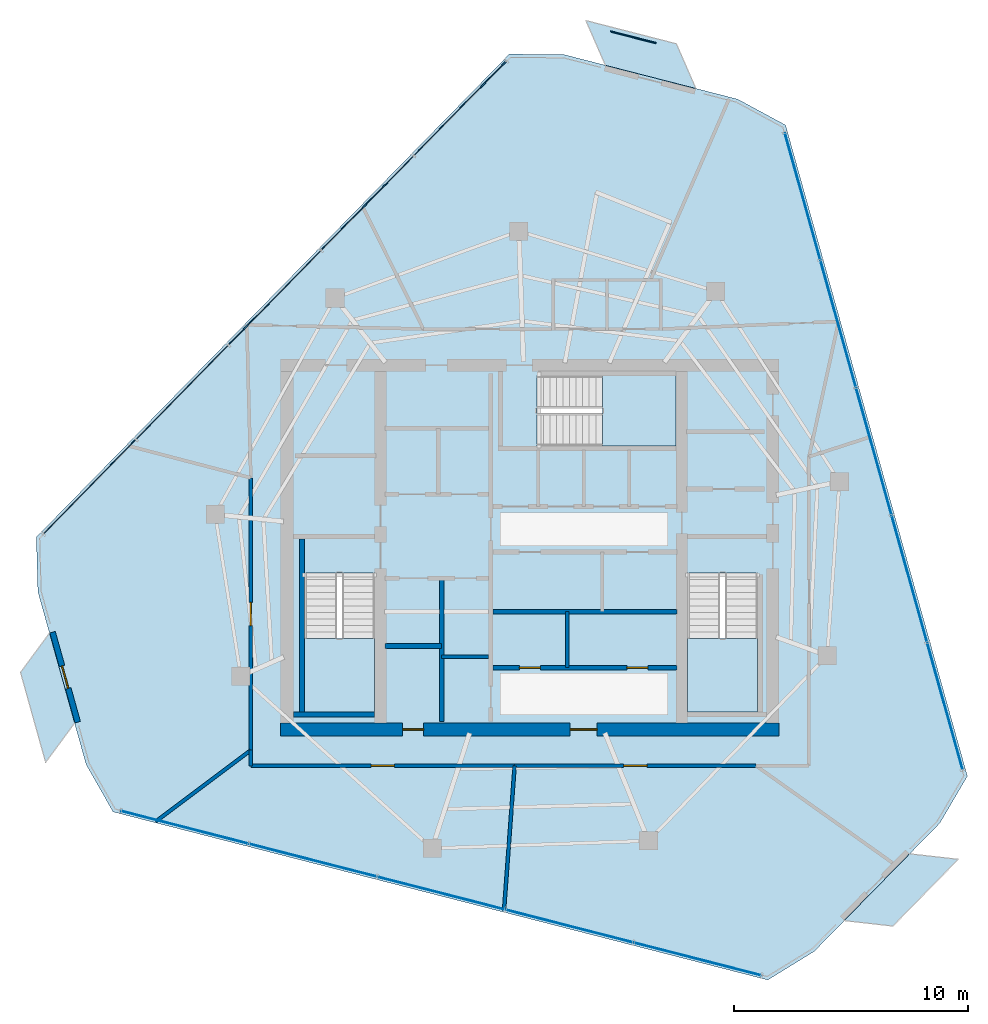
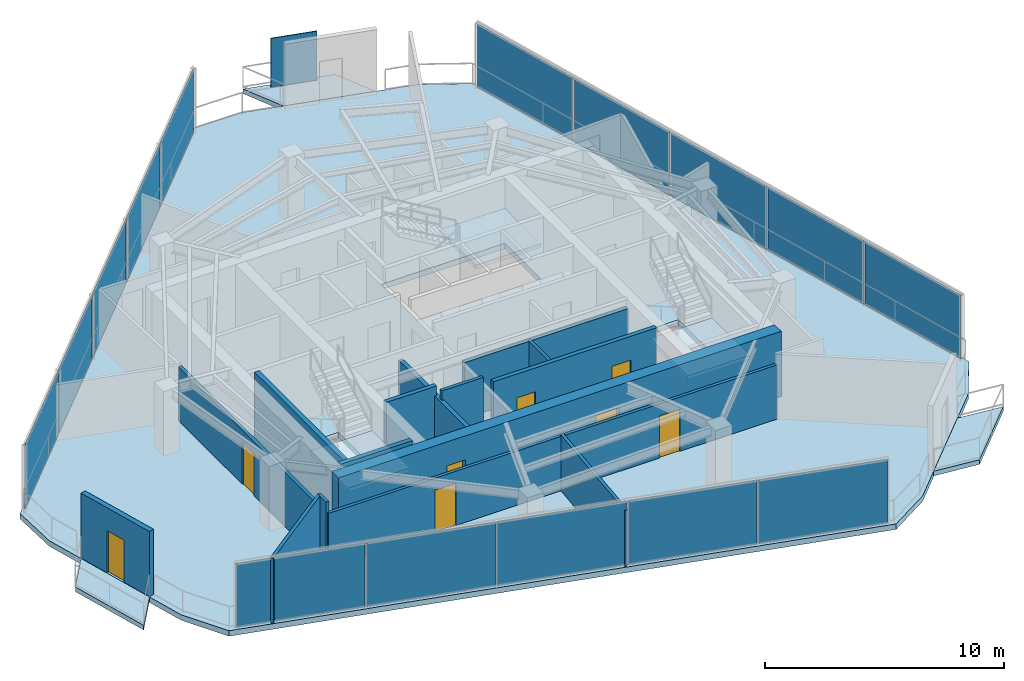
# One storey, part 14 of 18: 16 plates, 16 walls, 8 doors, 7 slabs, 8 openings, 6 elements without a shape of their own.
"""IFC4 building model written with IfcOpenShell, lengths in metres."""

import ifcopenshell
import ifcopenshell.guid

model = None  # the IFC model being written
_history = None  # IfcOwnerHistory: only IFC2X3 demands one
_inside = {}  # id of a spatial element -> (the spatial element, [elements in it])
_under = {}  # id of a project, library or spatial element -> (it, [spatial elements below it])
_declared = {}  # id of a project -> (the project, [libraries it declares])
_typed = {}  # id of a type object -> (the type object, [elements of that type])
_made_of = {}  # id of a material, layer set ... -> (it, [elements and type objects made of it])


def new_model(schema):
    """Start an empty IFC model of exactly this schema.

    Asked for "IFC4X3", IfcOpenShell would pick the latest addendum, in which some entities
    have other attributes; the version numbers below select the first issue.
    IFC2X3 requires an IfcOwnerHistory on every rooted entity: one is made here for all.
    """
    global model, _history
    if schema == "IFC4X3":
        model = ifcopenshell.file(schema_version=(4, 3, 0, 0))
    else:
        model = ifcopenshell.file(schema=schema)
    _inside.clear()
    _under.clear()
    _declared.clear()
    _typed.clear()
    _made_of.clear()
    _history = None
    if model.schema == "IFC2X3":
        org = make("IfcOrganization", Name="unknown")
        user = make(
            "IfcPersonAndOrganization",
            ThePerson=make("IfcPerson", FamilyName="unknown"),
            TheOrganization=org,
        )
        app = make(
            "IfcApplication",
            ApplicationDeveloper=org,
            Version="unknown",
            ApplicationFullName="unknown",
            ApplicationIdentifier="unknown",
        )
        _history = make(
            "IfcOwnerHistory",
            OwningUser=user,
            OwningApplication=app,
            ChangeAction="ADDED",
            CreationDate=0,
        )
    return model


def make(cls, **values):
    """One entity of the class cls with the attributes given. An attribute that is None is left unset."""
    return model.create_entity(
        cls, **{name: value for name, value in values.items() if value is not None}
    )


def rooted(cls, **values):
    """An entity with a GlobalId (a new one), such as an element, a storey or a relation."""
    return make(cls, GlobalId=ifcopenshell.guid.new(), OwnerHistory=_history, **values)


def si_unit(unit_type, name, prefix=None):
    """IfcSIUnit, for example si_unit("LENGTHUNIT", "METRE", prefix="MILLI")."""
    return make("IfcSIUnit", UnitType=unit_type, Prefix=prefix, Name=name)


def assignment(units):
    """IfcUnitAssignment: the units of a project."""
    return None if units is None else make("IfcUnitAssignment", Units=units)


def point(xyz):
    """IfcCartesianPoint."""
    return None if xyz is None else make("IfcCartesianPoint", Coordinates=xyz)


def direction(xyz):
    """IfcDirection."""
    return None if xyz is None else make("IfcDirection", DirectionRatios=xyz)


def frame(location, z_axis=None, x_axis=None):
    """IfcAxis2Placement3D, a coordinate frame: its origin and axes. An axis left out is left unset."""
    return make(
        "IfcAxis2Placement3D",
        Location=point(location),
        Axis=direction(z_axis),
        RefDirection=direction(x_axis),
    )


def frame_2d(location, x_axis=None):
    """IfcAxis2Placement2D, a coordinate frame in the plane: its origin and x axis."""
    return make(
        "IfcAxis2Placement2D", Location=point(location), RefDirection=direction(x_axis)
    )


def origin():
    """The frame at (0, 0, 0) with its axes left unset."""
    return frame((0.0, 0.0, 0.0))


def origin_2d():
    """The frame at (0, 0) in the plane with its x axis left unset."""
    return frame_2d((0.0, 0.0))


def place(relative_to, where):
    """IfcLocalPlacement: puts the frame where relative to a parent placement (None: the world)."""
    return make(
        "IfcLocalPlacement", PlacementRelTo=relative_to, RelativePlacement=where
    )


def context(
    kind, dimensions, precision=None, world=None, true_north=None, identifier=None
):
    """IfcGeometricRepresentationContext, for example the 3D "Model" context."""
    return make(
        "IfcGeometricRepresentationContext",
        ContextIdentifier=identifier,
        ContextType=kind,
        CoordinateSpaceDimension=dimensions,
        Precision=precision,
        WorldCoordinateSystem=world,
        TrueNorth=true_north,
    )


def subcontext(parent, identifier, kind, view, scale=None):
    """IfcGeometricRepresentationSubContext, for example "Body" below "Model"."""
    return make(
        "IfcGeometricRepresentationSubContext",
        ContextIdentifier=identifier,
        ContextType=kind,
        ParentContext=parent,
        TargetScale=scale,
        TargetView=view,
    )


def project(units=None, contexts=None):
    """IfcProject with its units and contexts."""
    return rooted(
        "IfcProject",
        Name="project",
        RepresentationContexts=contexts,
        UnitsInContext=assignment(units),
    )


def spatial(cls, under=None, at=None, **own):
    """A site, building, storey or space (cls), placed at a placement, below another one or the project."""
    s = rooted(cls, ObjectPlacement=at, **own)
    if under is not None:
        _under.setdefault(under.id(), (under, []))[1].append(s)
    return s


def polyline(points):
    """IfcPolyline through the points."""
    return make("IfcPolyline", Points=[point(p) for p in points])


def profile(cls, at=None, kind="AREA", **sizes):
    """A parametric profile (cls). Its sizes go by their IFC names, for example OverallWidth=200.0."""
    return make(cls, ProfileType=kind, Position=at, **sizes)


def rectangle(**sizes):
    """IfcRectangleProfileDef."""
    return profile("IfcRectangleProfileDef", **sizes)


def outline(outer, holes=None, kind="AREA"):
    """IfcArbitraryClosedProfileDef: a profile drawn as a closed curve; with holes, ...WithVoids."""
    if holes is None:
        return make("IfcArbitraryClosedProfileDef", ProfileType=kind, OuterCurve=outer)
    return make(
        "IfcArbitraryProfileDefWithVoids",
        ProfileType=kind,
        OuterCurve=outer,
        InnerCurves=holes,
    )


def extrude(swept, where, along, depth):
    """IfcExtrudedAreaSolid: the profile swept, set in the frame where, extruded along a direction by depth."""
    return make(
        "IfcExtrudedAreaSolid",
        SweptArea=swept,
        Position=where,
        ExtrudedDirection=direction(along),
        Depth=depth,
    )


def shape(context_of_items, identifier, shape_type, items):
    """IfcShapeRepresentation: the items that make up one representation, for example the "Body"."""
    return make(
        "IfcShapeRepresentation",
        ContextOfItems=context_of_items,
        RepresentationIdentifier=identifier,
        RepresentationType=shape_type,
        Items=items,
    )


def material(Name=None, Category=None):
    """IfcMaterial."""
    return make("IfcMaterial", Name=Name, Category=Category)


def layer(
    of_material, thickness, ventilated=None, Name=None, Category=None, Priority=None
):
    """IfcMaterialLayer: one layer of a wall or slab, of a material (None: an air gap)."""
    return make(
        "IfcMaterialLayer",
        Material=of_material,
        LayerThickness=thickness,
        IsVentilated=ventilated,
        Name=Name,
        Category=Category,
        Priority=Priority,
    )


def layer_set(layers, Name=None):
    """IfcMaterialLayerSet."""
    return make("IfcMaterialLayerSet", MaterialLayers=layers, LayerSetName=Name)


def made_of(thing, what):
    """Note that an element or type object is made of a material, layer set ...; save() writes the relation."""
    if what is not None:
        _made_of.setdefault(what.id(), (what, []))[1].append(thing)
    return thing


def type_object(cls, material=None, **own):
    """A type object (cls), such as IfcWallType, which elements share."""
    return made_of(rooted(cls, **own), material)


def element(
    cls,
    number,
    at=None,
    inside=None,
    cuts=None,
    type_object=None,
    material=None,
    context=None,
    identifier="Body",
    shape_type=None,
    held_by="IfcProductDefinitionShape",
    body=None,
    shapes=None,
    **own,
):
    """One element of the class cls, such as IfcWall. Its Tag is "e" and its number.

    at: its placement. inside: the storey or other place that contains it. cuts: it is an
    opening in that element (IfcRelVoidsElement). A single representation is given by context,
    identifier, shape_type and body (its items); several are given by shapes. held_by: the class
    of the entity that holds the representations. save() writes the other relations.
    """
    e = rooted(cls, Tag="e%d" % number, ObjectPlacement=at, **own)
    if body is not None:
        shapes = [shape(context, identifier, shape_type, body)]
    if shapes is not None:
        e.Representation = make(held_by, Representations=shapes)
    if inside is not None:
        _inside.setdefault(inside.id(), (inside, []))[1].append(e)
    if cuts is not None:
        rooted(
            "IfcRelVoidsElement", RelatingBuildingElement=cuts, RelatedOpeningElement=e
        )
    if type_object is not None:
        _typed.setdefault(type_object.id(), (type_object, []))[1].append(e)
    return made_of(e, material)


def fill(opening, filler):
    """IfcRelFillsElement: the door or window that sits in an opening."""
    return rooted(
        "IfcRelFillsElement",
        RelatingOpeningElement=opening,
        RelatedBuildingElement=filler,
    )


def aggregate(whole, parts):
    """IfcRelAggregates: a whole, such as a stair, and the parts it consists of."""
    return rooted("IfcRelAggregates", RelatingObject=whole, RelatedObjects=parts)


def save(model, path):
    """Write the relations noted so far, then the file.

    IfcRelAggregates (storeys below a building ...), IfcRelContainedInSpatialStructure (elements
    in a storey), IfcRelDefinesByType, IfcRelAssociatesMaterial and IfcRelDeclares: one each for
    every whole, place, type object, material and project.
    """
    for whole, parts in _under.values():
        aggregate(whole, parts)
    for where, things in _inside.values():
        rooted(
            "IfcRelContainedInSpatialStructure",
            RelatedElements=things,
            RelatingStructure=where,
        )
    for kind, things in _typed.values():
        rooted("IfcRelDefinesByType", RelatedObjects=things, RelatingType=kind)
    for what, things in _made_of.values():
        rooted("IfcRelAssociatesMaterial", RelatedObjects=things, RelatingMaterial=what)
    for by, libraries in _declared.values():
        rooted("IfcRelDeclares", RelatingContext=by, RelatedDefinitions=libraries)
    model.write(path)


model = new_model("IFC4")

# Units and contexts
model_context = context("Model", 3, precision=1e-05, world=origin(), true_north=direction((0.0, 1.0)))
body_context = subcontext(model_context, "Body", "Model", "MODEL_VIEW")
ifc_project = project(units=[si_unit("LENGTHUNIT", "METRE"), si_unit("AREAUNIT", "SQUARE_METRE"), si_unit("VOLUMEUNIT", "CUBIC_METRE"), si_unit("PLANEANGLEUNIT", "RADIAN"), si_unit("MASSUNIT", "GRAM", prefix="KILO")], contexts=[model_context])

# Site, building, storey
site_placement = place(None, origin())
site = spatial("IfcSite", under=ifc_project, at=site_placement, CompositionType="ELEMENT")
building_placement = place(site_placement, origin())
building = spatial("IfcBuilding", under=site, at=building_placement, Name="Qarnah Convention Tower", CompositionType="ELEMENT")
storey_placement = place(building_placement, frame((0.0, 0.0, 239.10009765625)))
storey = spatial("IfcBuildingStorey", under=building, at=storey_placement, Name="L64", CompositionType="ELEMENT", Elevation=239.10009765625)

# Curtain wall, plates
ifc_material_1 = material(Name="Tempered Low-E dark glass", Category="glass")
ifc_layer_1 = layer(ifc_material_1, 0.176025390625)
ifc_layer_set_1 = layer_set([ifc_layer_1], Name="Tempered Low-E dark glass")
curtain_wall_type = type_object("IfcCurtainWallType", Name="CWS-05", PredefinedType="NOTDEFINED", material=ifc_layer_set_1)
curtain_wall_1_placement = place(storey_placement, origin())
curtain_wall_1 = element("IfcCurtainWall", 1, at=curtain_wall_1_placement, inside=storey, type_object=curtain_wall_type, Name="L64 unitised curtain wall CW-L64-F1", PredefinedType="NOTDEFINED")
ifc_layer_2 = layer(ifc_material_1, 0.035888671875)
ifc_layer_set_2 = layer_set([ifc_layer_2], Name="Tempered Low-E dark glass")
plate_type_1 = type_object("IfcPlateType", Name="PNL-T5", PredefinedType="CURTAIN_PANEL", material=ifc_layer_set_2)
plate_1_placement = place(storey_placement, frame((18.344970703125, 28.99609375, 0.0400390625), z_axis=(0.0, 0.0, 1.0), x_axis=(0.699640931758, 0.714494623219, 0.0)))
plate_1 = element("IfcPlate", 2, at=plate_1_placement, type_object=plate_type_1, Name="CW-L64-F1 curtain panel 1.1", PredefinedType="CURTAIN_PANEL", context=body_context, shape_type="SweptSolid", body=[
    extrude(rectangle(XDim=5.588623046875, YDim=0.035888671875, at=origin_2d()), origin(), (0.0, 0.0, 1.0), 3.239990234375),
])
plate_2_placement = place(storey_placement, frame((22.31103515625, 33.04638671875, 0.0400390625), z_axis=(0.0, 0.0, 1.0), x_axis=(0.699640931758, 0.714494623219, 0.0)))
plate_2 = element("IfcPlate", 3, at=plate_2_placement, type_object=plate_type_1, Name="CW-L64-F1 curtain panel 2.1", PredefinedType="CURTAIN_PANEL", context=body_context, shape_type="SweptSolid", body=[
    extrude(rectangle(XDim=5.588623046875, YDim=0.035888671875, at=origin_2d()), origin(), (0.0, 0.0, 1.0), 3.239990234375),
])
plate_3_placement = place(storey_placement, frame((26.277099609375, 37.096435546875, 0.0400390625), z_axis=(0.0, 0.0, 1.0), x_axis=(0.699640931758, 0.714494623219, 0.0)))
plate_3 = element("IfcPlate", 4, at=plate_3_placement, type_object=plate_type_1, Name="CW-L64-F1 curtain panel 3.1", PredefinedType="CURTAIN_PANEL", context=body_context, shape_type="SweptSolid", body=[
    extrude(rectangle(XDim=5.588623046875, YDim=0.035888671875, at=origin_2d()), origin(), (0.0, 0.0, 1.0), 3.239990234375),
])
plate_4_placement = place(storey_placement, frame((30.242919921875, 41.146728515625, 0.0400390625), z_axis=(0.0, 0.0, 1.0), x_axis=(0.699640931758, 0.714494623219, 0.0)))
plate_4 = element("IfcPlate", 5, at=plate_4_placement, type_object=plate_type_1, Name="CW-L64-F1 curtain panel 4.1", PredefinedType="CURTAIN_PANEL", context=body_context, shape_type="SweptSolid", body=[
    extrude(rectangle(XDim=5.588623046875, YDim=0.035888671875, at=origin_2d()), origin(), (0.0, 0.0, 1.0), 3.239990234375),
])
plate_5_placement = place(storey_placement, frame((34.208984375, 45.197021484375, 0.0400390625), z_axis=(0.0, 0.0, 1.0), x_axis=(0.699640931758, 0.714494623219, 0.0)))
plate_5 = element("IfcPlate", 6, at=plate_5_placement, type_object=plate_type_1, Name="CW-L64-F1 curtain panel 5.1", PredefinedType="CURTAIN_PANEL", context=body_context, shape_type="SweptSolid", body=[
    extrude(rectangle(XDim=5.588623046875, YDim=0.035888671875, at=origin_2d()), origin(), (0.0, 0.0, 1.0), 3.239990234375),
])
aggregate(curtain_wall_1, [plate_1, plate_2, plate_3, plate_4, plate_5])

curtain_wall_2_placement = place(storey_placement, origin())
curtain_wall_2 = element("IfcCurtainWall", 7, at=curtain_wall_2_placement, inside=storey, type_object=curtain_wall_type, Name="L64 unitised curtain wall CW-L64-F2", PredefinedType="NOTDEFINED")
plate_6_placement = place(storey_placement, frame((44.37890625, 8.77294921875, 0.0400390625), z_axis=(0.0, 0.0, 1.0), x_axis=(-0.968578703323, 0.248707248524, 0.0)))
plate_6 = element("IfcPlate", 8, at=plate_6_placement, type_object=plate_type_1, Name="CW-L64-F2 curtain panel 1.1", PredefinedType="CURTAIN_PANEL", context=body_context, shape_type="SweptSolid", body=[
    extrude(rectangle(XDim=5.588623046875, YDim=0.035888671875, at=origin_2d()), origin(), (0.0, 0.0, 1.0), 3.239990234375),
])
plate_7_placement = place(storey_placement, frame((38.888427734375, 10.1826171875, 0.0400390625), z_axis=(0.0, 0.0, 1.0), x_axis=(-0.968578703323, 0.248707248524, 0.0)))
plate_7 = element("IfcPlate", 9, at=plate_7_placement, type_object=plate_type_1, Name="CW-L64-F2 curtain panel 2.1", PredefinedType="CURTAIN_PANEL", context=body_context, shape_type="SweptSolid", body=[
    extrude(rectangle(XDim=5.588623046875, YDim=0.035888671875, at=origin_2d()), origin(), (0.0, 0.0, 1.0), 3.239990234375),
])
plate_8_placement = place(storey_placement, frame((33.39794921875, 11.592529296875, 0.0400390625), z_axis=(0.0, 0.0, 1.0), x_axis=(-0.968578703323, 0.248707248524, 0.0)))
plate_8 = element("IfcPlate", 10, at=plate_8_placement, type_object=plate_type_1, Name="CW-L64-F2 curtain panel 3.1", PredefinedType="CURTAIN_PANEL", context=body_context, shape_type="SweptSolid", body=[
    extrude(rectangle(XDim=5.588623046875, YDim=0.035888671875, at=origin_2d()), origin(), (0.0, 0.0, 1.0), 3.239990234375),
])
plate_9_placement = place(storey_placement, frame((27.90771484375, 13.002197265625, 0.0400390625), z_axis=(0.0, 0.0, 1.0), x_axis=(-0.968578703323, 0.248707248524, 0.0)))
plate_9 = element("IfcPlate", 11, at=plate_9_placement, type_object=plate_type_1, Name="CW-L64-F2 curtain panel 4.1", PredefinedType="CURTAIN_PANEL", context=body_context, shape_type="SweptSolid", body=[
    extrude(rectangle(XDim=5.588623046875, YDim=0.035888671875, at=origin_2d()), origin(), (0.0, 0.0, 1.0), 3.239990234375),
])
plate_10_placement = place(storey_placement, frame((22.417236328125, 14.412109375, 0.0400390625), z_axis=(0.0, 0.0, 1.0), x_axis=(-0.968578703323, 0.248707248524, 0.0)))
plate_10 = element("IfcPlate", 12, at=plate_10_placement, type_object=plate_type_1, Name="CW-L64-F2 curtain panel 5.1", PredefinedType="CURTAIN_PANEL", context=body_context, shape_type="SweptSolid", body=[
    extrude(rectangle(XDim=5.588623046875, YDim=0.035888671875, at=origin_2d()), origin(), (0.0, 0.0, 1.0), 3.239990234375),
])
aggregate(curtain_wall_2, [plate_6, plate_7, plate_8, plate_9, plate_10])

curtain_wall_3_placement = place(storey_placement, origin())
curtain_wall_3 = element("IfcCurtainWall", 13, at=curtain_wall_3_placement, inside=storey, type_object=curtain_wall_type, Name="L64 unitised curtain wall CW-L64-F3", PredefinedType="NOTDEFINED")
plate_11_placement = place(storey_placement, frame((48.876220703125, 41.43115234375, 0.0400390625), z_axis=(0.0, 0.0, 1.0), x_axis=(0.268928377077, -0.96316017775, 0.0)))
plate_11 = element("IfcPlate", 14, at=plate_11_placement, type_object=plate_type_1, Name="CW-L64-F3 curtain panel 1.1", PredefinedType="CURTAIN_PANEL", context=body_context, shape_type="SweptSolid", body=[
    extrude(rectangle(XDim=5.58837890625, YDim=0.035888671875, at=origin_2d()), origin(), (0.0, 0.0, 1.0), 3.239990234375),
])
plate_12_placement = place(storey_placement, frame((50.400634765625, 35.9716796875, 0.0400390625), z_axis=(0.0, 0.0, 1.0), x_axis=(0.268928377077, -0.96316017775, 0.0)))
plate_12 = element("IfcPlate", 15, at=plate_12_placement, type_object=plate_type_1, Name="CW-L64-F3 curtain panel 2.1", PredefinedType="CURTAIN_PANEL", context=body_context, shape_type="SweptSolid", body=[
    extrude(rectangle(XDim=5.58837890625, YDim=0.035888671875, at=origin_2d()), origin(), (0.0, 0.0, 1.0), 3.239990234375),
])
plate_13_placement = place(storey_placement, frame((51.925048828125, 30.511962890625, 0.0400390625), z_axis=(0.0, 0.0, 1.0), x_axis=(0.268928377077, -0.96316017775, 0.0)))
plate_13 = element("IfcPlate", 16, at=plate_13_placement, type_object=plate_type_1, Name="CW-L64-F3 curtain panel 3.1", PredefinedType="CURTAIN_PANEL", context=body_context, shape_type="SweptSolid", body=[
    extrude(rectangle(XDim=5.58837890625, YDim=0.035888671875, at=origin_2d()), origin(), (0.0, 0.0, 1.0), 3.239990234375),
])
plate_14_placement = place(storey_placement, frame((53.449462890625, 25.052490234375, 0.0400390625), z_axis=(0.0, 0.0, 1.0), x_axis=(0.268928377077, -0.96316017775, 0.0)))
plate_14 = element("IfcPlate", 17, at=plate_14_placement, type_object=plate_type_1, Name="CW-L64-F3 curtain panel 4.1", PredefinedType="CURTAIN_PANEL", context=body_context, shape_type="SweptSolid", body=[
    extrude(rectangle(XDim=5.58837890625, YDim=0.035888671875, at=origin_2d()), origin(), (0.0, 0.0, 1.0), 3.239990234375),
])
plate_15_placement = place(storey_placement, frame((54.973876953125, 19.5927734375, 0.0400390625), z_axis=(0.0, 0.0, 1.0), x_axis=(0.268928377077, -0.96316017775, 0.0)))
plate_15 = element("IfcPlate", 18, at=plate_15_placement, type_object=plate_type_1, Name="CW-L64-F3 curtain panel 5.1", PredefinedType="CURTAIN_PANEL", context=body_context, shape_type="SweptSolid", body=[
    extrude(rectangle(XDim=5.58837890625, YDim=0.035888671875, at=origin_2d()), origin(), (0.0, 0.0, 1.0), 3.239990234375),
])
aggregate(curtain_wall_3, [plate_11, plate_12, plate_13, plate_14, plate_15])

# Plate
ifc_material_2 = material(Name="Black anodised aluminium", Category="aluminium")
ifc_layer_3 = layer(ifc_material_2, 0.044921875)
ifc_layer_set_3 = layer_set([ifc_layer_3], Name="Black anodised aluminium")
plate_type_2 = type_object("IfcPlateType", Name="SCR-BAL-18", PredefinedType="USERDEFINED", material=ifc_layer_set_3)
plate_16_placement = place(storey_placement, frame((41.6298828125, 48.241943359375, 0.0), z_axis=(0.0, 0.0, 1.0), x_axis=(0.968578820524, -0.248706792092, 0.0)))
element("IfcPlate", 19, at=plate_16_placement, inside=storey, type_object=plate_type_2, Name="L64 perforated desert solar screen BAL-L64-C1", ObjectType="SCREEN", PredefinedType="USERDEFINED", context=body_context, shape_type="SweptSolid", body=[
    extrude(rectangle(XDim=2.0, YDim=0.044921875, at=origin_2d()), origin(), (0.0, 0.0, 1.0), 2.5),
])

# Slabs
ifc_material_3 = material(Name="Concrete C45/55", Category="concrete")
ifc_layer_4 = layer(ifc_material_3, 0.239990234375)
ifc_layer_set_4 = layer_set([ifc_layer_4], Name="Concrete C45/55")
slab_type_1 = type_object("IfcSlabType", Name="SLB-BAL-240", PredefinedType="USERDEFINED", material=ifc_layer_set_4)
slab_1_placement = place(storey_placement, frame((0.0, 0.0, -0.239990234375)))
element("IfcSlab", 20, at=slab_1_placement, inside=storey, type_object=slab_type_1, Name="L64 cantilevered balcony slab BAL-L64-C1", ObjectType="BALCONY", PredefinedType="USERDEFINED", context=body_context, shape_type="SweptSolid", body=[
    extrude(outline(polyline([(39.595947265625, 48.958984375), (43.470947265625, 47.964111328125), (44.30810546875, 46.047119140625), (40.43505859375, 47.041015625), (39.595947265625, 48.958984375)])), origin(), (0.0, 0.0, 1.0), 0.239990234375),
])
slab_2_placement = place(storey_placement, frame((0.0, 0.0, -0.239990234375)))
element("IfcSlab", 21, at=slab_2_placement, inside=storey, type_object=slab_type_1, Name="L64 cantilevered balcony slab BAL-L64-C2", ObjectType="BALCONY", PredefinedType="USERDEFINED", context=body_context, shape_type="SweptSolid", body=[
    extrude(outline(polyline([(16.465087890625, 17.196044921875), (15.389892578125, 21.048095703125), (16.632080078125, 22.73291015625), (17.70703125, 18.8798828125), (16.465087890625, 17.196044921875)])), origin(), (0.0, 0.0, 1.0), 0.239990234375),
])
slab_3_placement = place(storey_placement, frame((0.0, 0.0, -0.239990234375)))
element("IfcSlab", 22, at=slab_3_placement, inside=storey, type_object=slab_type_1, Name="L64 cantilevered balcony slab BAL-L64-C3", ObjectType="BALCONY", PredefinedType="USERDEFINED", context=body_context, shape_type="SweptSolid", body=[
    extrude(outline(polyline([(55.5380859375, 13.044921875), (52.739990234375, 10.18701171875), (50.659912109375, 10.4208984375), (53.458984375, 13.279052734375), (55.5380859375, 13.044921875)])), origin(), (0.0, 0.0, 1.0), 0.239990234375),
])

# Stair, slab
ifc_material_4 = material(Name="Concrete C50/60", Category="concrete")
stair_type = type_object("IfcStairType", Name="STR-OFF", PredefinedType="HALF_TURN_STAIR", material=ifc_material_4)
stair_1_placement = place(storey_placement, origin())
stair_1 = element("IfcStair", 23, at=stair_1_placement, inside=storey, type_object=stair_type, Name="L64 Core exit stair ST-1", PredefinedType="HALF_TURN_STAIR")
ifc_layer_5 = layer(ifc_material_4, 0.199951171875)
ifc_layer_set_5 = layer_set([ifc_layer_5], Name="Concrete C50/60")
slab_type_2 = type_object("IfcSlabType", Name="SLB-LANDING-200", PredefinedType="LANDING", material=ifc_layer_set_5)
slab_4_placement = place(storey_placement, frame((0.0, 0.0, 1.599853515625)))
slab_4 = element("IfcSlab", 24, at=slab_4_placement, type_object=slab_type_2, Name="ST-1 landing 1", PredefinedType="LANDING", context=body_context, shape_type="SweptSolid", body=[
    extrude(outline(polyline([(27.550048828125, 22.5), (27.550048828125, 19.35009765625), (30.550048828125, 19.35009765625), (30.550048828125, 22.5), (27.550048828125, 22.5)])), origin(), (0.0, 0.0, 1.0), 0.199951171875),
])
aggregate(stair_1, [slab_4])

stair_2_placement = place(storey_placement, origin())
stair_2 = element("IfcStair", 25, at=stair_2_placement, inside=storey, type_object=stair_type, Name="L64 Core exit stair ST-2", PredefinedType="HALF_TURN_STAIR")
slab_5_placement = place(storey_placement, frame((0.0, 0.0, 1.599853515625)))
slab_5 = element("IfcSlab", 26, at=slab_5_placement, type_object=slab_type_2, Name="ST-2 landing 1", PredefinedType="LANDING", context=body_context, shape_type="SweptSolid", body=[
    extrude(outline(polyline([(43.949951171875, 22.5), (43.949951171875, 19.35009765625), (46.949951171875, 19.35009765625), (46.949951171875, 22.5), (43.949951171875, 22.5)])), origin(), (0.0, 0.0, 1.0), 0.199951171875),
])
aggregate(stair_2, [slab_5])

stair_3_placement = place(storey_placement, origin())
stair_3 = element("IfcStair", 27, at=stair_3_placement, inside=storey, type_object=stair_type, Name="L64 Core exit stair ST-3", PredefinedType="HALF_TURN_STAIR")
slab_6_placement = place(storey_placement, frame((0.0, 0.0, 1.599853515625)))
slab_6 = element("IfcSlab", 28, at=slab_6_placement, type_object=slab_type_2, Name="ST-3 landing 1", PredefinedType="LANDING", context=body_context, shape_type="SweptSolid", body=[
    extrude(outline(polyline([(40.300048828125, 30.75), (43.449951171875, 30.75), (43.449951171875, 33.75), (40.300048828125, 33.75), (40.300048828125, 30.75)])), origin(), (0.0, 0.0, 1.0), 0.199951171875),
])
aggregate(stair_3, [slab_6])

# Slab
ifc_layer_6 = layer(ifc_material_3, 0.280029296875)
ifc_layer_set_6 = layer_set([ifc_layer_6], Name="Concrete C45/55")
slab_type_3 = type_object("IfcSlabType", Name="SLB-TWR-280", PredefinedType="FLOOR", material=ifc_layer_set_6)
slab_7_placement = place(storey_placement, frame((0.0, 0.0, -0.280029296875)))
element("IfcSlab", 29, at=slab_7_placement, inside=storey, type_object=slab_type_3, Name="L64 structural floor slab", PredefinedType="FLOOR", context=body_context, shape_type="SweptSolid", body=[
    extrude(outline(polyline([(36.31591796875, 47.52001953125), (16.06591796875, 26.841064453125), (16.132080078125, 24.508056640625), (18.198974609375, 17.10400390625), (19.35205078125, 15.074951171875), (47.385009765625, 7.876953125), (49.3720703125, 9.10009765625), (54.7509765625, 14.593017578125), (55.931884765625, 16.60595703125), (48.14892578125, 44.48193359375), (46.095947265625, 45.592041015625), (38.64990234375, 47.5029296875), (36.31591796875, 47.52001953125)]), holes=[polyline([(27.550048828125, 25.300048828125), (27.550048828125, 19.35009765625), (30.550048828125, 19.35009765625), (30.550048828125, 25.300048828125), (27.550048828125, 25.300048828125)]), polyline([(43.949951171875, 25.300048828125), (43.949951171875, 19.35009765625), (46.949951171875, 19.35009765625), (46.949951171875, 25.300048828125), (43.949951171875, 25.300048828125)]), polyline([(37.5, 30.75), (43.449951171875, 30.75), (43.449951171875, 33.75), (37.5, 33.75), (37.5, 30.75)])]), origin(), (0.0, 0.0, 1.0), 0.280029296875),
])

# Wall, openings, doors
ifc_material_5 = material(Name="Concrete C60/75", Category="concrete")
ifc_layer_7 = layer(ifc_material_5, 0.550048828125)
ifc_layer_set_7 = layer_set([ifc_layer_7], Name="Concrete C60/75")
wall_type_1 = type_object("IfcWallType", Name="WL-CORE-550", PredefinedType="SHEAR", material=ifc_layer_set_7)
wall_1_placement = place(storey_placement, frame((26.52490234375, 18.60009765625, 0.0), z_axis=(0.0, 0.0, 1.0), x_axis=(1.0, 0.0, 0.0)))
wall_1 = element("IfcWall", 30, at=wall_1_placement, inside=storey, type_object=wall_type_1, Name="L64 core south shear wall", PredefinedType="SHEAR", context=body_context, shape_type="SweptSolid", body=[
    extrude(rectangle(XDim=21.35009765625, YDim=0.550048828125, at=frame_2d((10.675048828125, 0.0))), origin(), (0.0, 0.0, 1.0), 3.31982421875),
])
opening_1_placement = place(wall_1_placement, frame((12.39990234375, 0.0, 0.0)))
opening_1 = element("IfcOpeningElement", 31, at=opening_1_placement, cuts=wall_1, Name="Opening D-6407", PredefinedType="OPENING", context=body_context, shape_type="SweptSolid", body=[
    extrude(rectangle(XDim=1.14990234375, YDim=2.14990234375, at=frame_2d((0.574951171875, 1.074951171875))), frame((0.0, 0.284912109375, 0.0), z_axis=(0.0, -1.0, 0.0), x_axis=(1.0, 0.0, 0.0)), (0.0, 0.0, 1.0), 0.570068359375),
])
opening_2_placement = place(wall_1_placement, frame((5.22509765625, 0.0, 0.0)))
opening_2 = element("IfcOpeningElement", 32, at=opening_2_placement, cuts=wall_1, Name="Opening D-6413", PredefinedType="OPENING", context=body_context, shape_type="SweptSolid", body=[
    extrude(rectangle(XDim=0.89990234375, YDim=2.10009765625, at=frame_2d((0.449951171875, 1.050048828125))), frame((0.0, 0.284912109375, 0.0), z_axis=(0.0, -1.0, 0.0), x_axis=(1.0, 0.0, 0.0)), (0.0, 0.0, 1.0), 0.570068359375),
])
ifc_material_6 = material(Name="Structural steel S355JR", Category="steel")
door_type_1 = type_object("IfcDoorType", Name="DT-LOBBY-1150", OperationType="NOTDEFINED", PredefinedType="DOOR", material=ifc_material_6)
door_1_placement = place(opening_1_placement, origin())
door_1 = element("IfcDoor", 33, at=door_1_placement, inside=storey, type_object=door_type_1, Name="Door D-6407", OperationType="SINGLE_SWING_RIGHT", OverallHeight=2.14990234375, OverallWidth=1.14990234375, PredefinedType="DOOR", context=body_context, shape_type="SweptSolid", body=[
    extrude(rectangle(XDim=1.14990234375, YDim=2.14990234375, at=frame_2d((0.574951171875, 1.074951171875))), frame((0.0, 0.02490234375, 0.0), z_axis=(0.0, -1.0, 0.0), x_axis=(1.0, 0.0, 0.0)), (0.0, 0.0, 1.0), 0.050048828125),
])
fill(opening_1, door_1)
door_type_2 = type_object("IfcDoorType", Name="DT-RISER-900", OperationType="NOTDEFINED", PredefinedType="DOOR", material=ifc_material_6)
door_2_placement = place(opening_2_placement, origin())
door_2 = element("IfcDoor", 34, at=door_2_placement, inside=storey, type_object=door_type_2, Name="Door D-6413", OperationType="SINGLE_SWING_RIGHT", OverallHeight=2.10009765625, OverallWidth=0.89990234375, PredefinedType="DOOR", context=body_context, shape_type="SweptSolid", body=[
    extrude(rectangle(XDim=0.89990234375, YDim=2.10009765625, at=frame_2d((0.449951171875, 1.050048828125))), frame((0.0, 0.02490234375, 0.0), z_axis=(0.0, -1.0, 0.0), x_axis=(1.0, 0.0, 0.0)), (0.0, 0.0, 1.0), 0.050048828125),
])
fill(opening_2, door_2)

# Walls
ifc_layer_8 = layer(ifc_material_3, 0.199951171875)
ifc_layer_set_8 = layer_set([ifc_layer_8], Name="Concrete C45/55")
wall_type_2 = type_object("IfcWallType", Name="WL-CORE-PART-200", PredefinedType="SOLIDWALL", material=ifc_layer_set_8)
wall_2_placement = place(storey_placement, frame((33.419921875, 18.949951171875, 0.0), z_axis=(0.0, 0.0, 1.0), x_axis=(0.0, 1.0, 0.0)))
element("IfcWall", 35, at=wall_2_placement, inside=storey, type_object=wall_type_2, Name="L64 interior wall IW-L64-SVLE", PredefinedType="SOLIDWALL", context=body_context, shape_type="SweptSolid", body=[
    extrude(rectangle(XDim=6.130126953125, YDim=0.199951171875, at=frame_2d((3.06494140625, 0.0))), origin(), (0.0, 0.0, 1.0), 2.8408203125),
])
wall_3_placement = place(storey_placement, frame((31.0, 22.179931640625, 0.0), z_axis=(0.0, 0.0, 1.0), x_axis=(1.0, 0.0, 0.0)))
element("IfcWall", 36, at=wall_3_placement, inside=storey, type_object=wall_type_2, Name="L64 interior wall IW-L64-SVLS", PredefinedType="SOLIDWALL", context=body_context, shape_type="SweptSolid", body=[
    extrude(rectangle(XDim=2.419921875, YDim=0.199951171875, at=frame_2d((1.2099609375, 0.0))), origin(), (0.0, 0.0, 1.0), 3.31982421875),
])
wall_4_placement = place(storey_placement, frame((35.6201171875, 23.64990234375, 0.0), z_axis=(0.0, 0.0, 1.0), x_axis=(1.0, 0.0, 0.0)))
element("IfcWall", 37, at=wall_4_placement, inside=storey, type_object=wall_type_2, Name="L64 interior wall IW-L64-PMPL", PredefinedType="SOLIDWALL", context=body_context, shape_type="SweptSolid", body=[
    extrude(rectangle(XDim=7.8798828125, YDim=0.199951171875, at=frame_2d((3.93994140625, 0.0))), origin(), (0.0, 0.0, 1.0), 2.8408203125),
])

# Wall, openings, doors
wall_5_placement = place(storey_placement, frame((35.6201171875, 21.25, 0.0), z_axis=(0.0, 0.0, 1.0), x_axis=(1.0, 0.0, 0.0)))
wall_5 = element("IfcWall", 38, at=wall_5_placement, inside=storey, type_object=wall_type_2, Name="L64 interior wall IW-L64-PLS", PredefinedType="SOLIDWALL", context=body_context, shape_type="SweptSolid", body=[
    extrude(rectangle(XDim=7.8798828125, YDim=0.199951171875, at=frame_2d((3.93994140625, 0.0))), origin(), (0.0, 0.0, 1.0), 3.31982421875),
])
opening_3_placement = place(wall_5_placement, frame((1.1298828125, 0.0, 0.0)))
opening_3 = element("IfcOpeningElement", 39, at=opening_3_placement, cuts=wall_5, Name="Opening D-6416", PredefinedType="OPENING", context=body_context, shape_type="SweptSolid", body=[
    extrude(rectangle(XDim=0.89990234375, YDim=2.10009765625, at=frame_2d((0.449951171875, 1.050048828125))), frame((0.0, 0.10986328125, 0.0), z_axis=(0.0, -1.0, 0.0), x_axis=(1.0, 0.0, 0.0)), (0.0, 0.0, 1.0), 0.219970703125),
])
opening_4_placement = place(wall_5_placement, frame((5.72998046875, 0.0, 0.0)))
opening_4 = element("IfcOpeningElement", 40, at=opening_4_placement, cuts=wall_5, Name="Opening D-6417", PredefinedType="OPENING", context=body_context, shape_type="SweptSolid", body=[
    extrude(rectangle(XDim=0.89990234375, YDim=2.10009765625, at=frame_2d((0.449951171875, 1.050048828125))), frame((0.0, 0.10986328125, 0.0), z_axis=(0.0, -1.0, 0.0), x_axis=(1.0, 0.0, 0.0)), (0.0, 0.0, 1.0), 0.219970703125),
])
door_3_placement = place(opening_3_placement, origin())
door_3 = element("IfcDoor", 41, at=door_3_placement, inside=storey, type_object=door_type_2, Name="Door D-6416", OperationType="SINGLE_SWING_LEFT", OverallHeight=2.10009765625, OverallWidth=0.89990234375, PredefinedType="DOOR", context=body_context, shape_type="SweptSolid", body=[
    extrude(rectangle(XDim=0.89990234375, YDim=2.10009765625, at=frame_2d((0.449951171875, 1.050048828125))), frame((0.0, 0.02490234375, 0.0), z_axis=(0.0, -1.0, 0.0), x_axis=(1.0, 0.0, 0.0)), (0.0, 0.0, 1.0), 0.050048828125),
])
fill(opening_3, door_3)
door_4_placement = place(opening_4_placement, origin())
door_4 = element("IfcDoor", 42, at=door_4_placement, inside=storey, type_object=door_type_2, Name="Door D-6417", OperationType="SINGLE_SWING_RIGHT", OverallHeight=2.10009765625, OverallWidth=0.89990234375, PredefinedType="DOOR", context=body_context, shape_type="SweptSolid", body=[
    extrude(rectangle(XDim=0.89990234375, YDim=2.10009765625, at=frame_2d((0.449951171875, 1.050048828125))), frame((0.0, 0.02490234375, 0.0), z_axis=(0.0, -1.0, 0.0), x_axis=(1.0, 0.0, 0.0)), (0.0, 0.0, 1.0), 0.050048828125),
])
fill(opening_4, door_4)

# Walls
ifc_layer_9 = layer(ifc_material_5, 0.219970703125)
ifc_layer_set_9 = layer_set([ifc_layer_9], Name="Concrete C60/75")
wall_type_3 = type_object("IfcWallType", Name="WL-CORE-STAIR-220", PredefinedType="SHEAR", material=ifc_layer_set_9)
wall_6_placement = place(storey_placement, frame((27.43994140625, 19.35009765625, 0.0), z_axis=(0.0, 0.0, 1.0), x_axis=(0.0, 1.0, 0.0)))
element("IfcWall", 43, at=wall_6_placement, inside=storey, type_object=wall_type_3, Name="L64 stair shaft shear wall SW-L64-ST1W", PredefinedType="SHEAR", context=body_context, shape_type="SweptSolid", body=[
    extrude(rectangle(XDim=7.39990234375, YDim=0.219970703125, at=frame_2d((3.699951171875, 0.0))), origin(), (0.0, 0.0, 1.0), 3.31982421875),
])
wall_7_placement = place(storey_placement, frame((27.074951171875, 19.239990234375, 0.0), z_axis=(0.0, 0.0, 1.0), x_axis=(1.0, 0.0, 0.0)))
element("IfcWall", 44, at=wall_7_placement, inside=storey, type_object=wall_type_3, Name="L64 stair shaft shear wall SW-L64-ST1S", PredefinedType="SHEAR", context=body_context, shape_type="SweptSolid", body=[
    extrude(rectangle(XDim=3.47509765625, YDim=0.219970703125, at=frame_2d((1.737548828125, 0.0))), origin(), (0.0, 0.0, 1.0), 3.31982421875),
])

# Wall, opening, door
ifc_material_7 = material(Name="Precast concrete C45/55", Category="concrete")
ifc_layer_10 = layer(ifc_material_7, 0.239990234375)
ifc_layer_set_10 = layer_set([ifc_layer_10], Name="Precast concrete C45/55")
wall_type_4 = type_object("IfcWallType", Name="WL-EXT-BAL-240", PredefinedType="SOLIDWALL", material=ifc_layer_set_10)
wall_8_placement = place(storey_placement, frame((17.837890625, 18.91796875, 0.0), z_axis=(0.0, 0.0, 1.0), x_axis=(-0.269016271417, 0.963135632044, 0.0)))
wall_8 = element("IfcWall", 45, at=wall_8_placement, inside=storey, type_object=wall_type_4, Name="L64 loggia threshold wall BAL-L64-C2", PredefinedType="SOLIDWALL", context=body_context, shape_type="SweptSolid", body=[
    extrude(rectangle(XDim=3.99951171875, YDim=0.239990234375, at=frame_2d((1.999755859375, 0.0))), origin(), (0.0, 0.0, 1.0), 3.31982421875),
])
opening_5_placement = place(wall_8_placement, frame((1.5, 0.0, 0.0)))
opening_5 = element("IfcOpeningElement", 46, at=opening_5_placement, cuts=wall_8, Name="Opening BD-6402", PredefinedType="OPENING", context=body_context, shape_type="SweptSolid", body=[
    extrude(rectangle(XDim=1.0, YDim=2.14990234375, at=frame_2d((0.5, 1.074951171875))), frame((0.0, 0.1298828125, 0.0), z_axis=(0.0, -1.0, 0.0), x_axis=(1.0, 0.0, 0.0)), (0.0, 0.0, 1.0), 0.260009765625),
])
door_type_3 = type_object("IfcDoorType", Name="DT-BAL-1000", OperationType="NOTDEFINED", PredefinedType="DOOR", material=ifc_material_2)
door_5_placement = place(opening_5_placement, origin())
door_5 = element("IfcDoor", 47, at=door_5_placement, inside=storey, type_object=door_type_3, Name="L64 balcony terrace door BAL-L64-C2", OperationType="SINGLE_SWING_RIGHT", OverallHeight=2.14990234375, OverallWidth=1.0, PredefinedType="DOOR", context=body_context, shape_type="SweptSolid", body=[
    extrude(rectangle(XDim=1.0, YDim=2.14990234375, at=frame_2d((0.5, 1.074951171875))), frame((0.0, 0.02490234375, 0.0), z_axis=(0.0, -1.0, 0.0), x_axis=(1.0, 0.0, 0.0)), (0.0, 0.0, 1.0), 0.050048828125),
])
fill(opening_5, door_5)

# Walls
ifc_material_8 = material(Name="Gypsum partition board")
ifc_layer_11 = layer(ifc_material_8, 0.14990234375)
ifc_layer_set_11 = layer_set([ifc_layer_11], Name="Gypsum partition board")
wall_type_5 = type_object("IfcWallType", Name="WL-SUITE-150", PredefinedType="PARTITIONING", material=ifc_layer_set_11)
wall_9_placement = place(storey_placement, frame((33.419921875, 21.719970703125, 0.0), z_axis=(0.0, 0.0, 1.0), x_axis=(1.0, 0.0, 0.0)))
element("IfcWall", 48, at=wall_9_placement, inside=storey, type_object=wall_type_5, Name="L64 interior wall IW-L64-CSV1", PredefinedType="PARTITIONING", context=body_context, shape_type="SweptSolid", body=[
    extrude(rectangle(XDim=2.0, YDim=0.14990234375, at=frame_2d((1.0, 0.0))), origin(), (0.0, 0.0, 1.0), 3.31982421875),
])
wall_10_placement = place(storey_placement, frame((38.800048828125, 21.25, 0.0), z_axis=(0.0, 0.0, 1.0), x_axis=(0.0, 1.0, 0.0)))
element("IfcWall", 49, at=wall_10_placement, inside=storey, type_object=wall_type_5, Name="L64 interior wall IW-L64-PLFD", PredefinedType="PARTITIONING", context=body_context, shape_type="SweptSolid", body=[
    extrude(rectangle(XDim=2.39990234375, YDim=0.14990234375, at=frame_2d((1.199951171875, 0.0))), origin(), (0.0, 0.0, 1.0), 2.8408203125),
])
wall_11_placement = place(storey_placement, frame((21.18310546875, 14.6689453125, 0.0), z_axis=(0.0, 0.0, 1.0), x_axis=(0.800103735433, 0.599861661173, 0.0)))
element("IfcWall", 50, at=wall_11_placement, inside=storey, type_object=wall_type_5, Name="L64 interior wall IW-L64-R-17", PredefinedType="PARTITIONING", context=body_context, shape_type="SweptSolid", body=[
    extrude(rectangle(XDim=5.0830078125, YDim=0.14990234375, at=frame_2d((2.54150390625, 0.0))), origin(), (0.0, 0.0, 1.0), 3.31982421875),
])

# Wall, opening, door
wall_12_placement = place(storey_placement, frame((25.25, 17.718017578125, 0.0), z_axis=(0.0, 0.0, 1.0), x_axis=(0.0, 1.0, 0.0)))
wall_12 = element("IfcWall", 51, at=wall_12_placement, inside=storey, type_object=wall_type_5, Name="L64 interior wall IW-L64-R-18", PredefinedType="PARTITIONING", context=body_context, shape_type="SweptSolid", body=[
    extrude(rectangle(XDim=11.660888671875, YDim=0.14990234375, at=frame_2d((5.83056640625, 0.0))), origin(), (0.0, 0.0, 1.0), 2.764892578125),
])
opening_6_placement = place(wall_12_placement, frame((5.3310546875, 0.0, 0.0)))
opening_6 = element("IfcOpeningElement", 52, at=opening_6_placement, cuts=wall_12, Name="Opening D-6425", PredefinedType="OPENING", context=body_context, shape_type="SweptSolid", body=[
    extrude(rectangle(XDim=1.0, YDim=2.14990234375, at=frame_2d((0.5, 1.074951171875))), frame((0.0, 0.0849609375, 0.0), z_axis=(0.0, -1.0, 0.0), x_axis=(1.0, 0.0, 0.0)), (0.0, 0.0, 1.0), 0.169921875),
])
ifc_material_9 = material(Name="Oak timber veneer", Category="wood")
door_type_4 = type_object("IfcDoorType", Name="DT-OFFICE-1000", OperationType="NOTDEFINED", PredefinedType="DOOR", material=ifc_material_9)
door_6_placement = place(opening_6_placement, origin())
door_6 = element("IfcDoor", 53, at=door_6_placement, inside=storey, type_object=door_type_4, Name="Door D-6425", OperationType="SINGLE_SWING_RIGHT", OverallHeight=2.14990234375, OverallWidth=1.0, PredefinedType="DOOR", context=body_context, shape_type="SweptSolid", body=[
    extrude(rectangle(XDim=1.0, YDim=2.14990234375, at=frame_2d((0.5, 1.074951171875))), frame((0.0, 0.02490234375, 0.0), z_axis=(0.0, -1.0, 0.0), x_axis=(1.0, 0.0, 0.0)), (0.0, 0.0, 1.0), 0.050048828125),
])
fill(opening_6, door_6)

# Wall
wall_13_placement = place(storey_placement, frame((36.092041015625, 10.85791015625, 0.0), z_axis=(0.0, 0.0, 1.0), x_axis=(0.07309965338, 0.997324641567, 0.0)))
element("IfcWall", 54, at=wall_13_placement, inside=storey, type_object=wall_type_5, Name="L64 interior wall IW-L64-R-19", PredefinedType="PARTITIONING", context=body_context, shape_type="SweptSolid", body=[
    extrude(rectangle(XDim=6.208740234375, YDim=0.14990234375, at=frame_2d((3.1044921875, 0.0))), origin(), (0.0, 0.0, 1.0), 2.844970703125),
])

# Wall, opening, door
wall_14_placement = place(storey_placement, frame((36.5458984375, 17.050048828125, 0.0), z_axis=(0.0, 0.0, 1.0), x_axis=(-1.0, 0.0, 0.0)))
wall_14 = element("IfcWall", 55, at=wall_14_placement, inside=storey, type_object=wall_type_5, Name="L64 interior wall IW-L64-R-20", PredefinedType="PARTITIONING", context=body_context, shape_type="SweptSolid", body=[
    extrude(rectangle(XDim=11.2958984375, YDim=0.14990234375, at=frame_2d((5.64794921875, 0.0))), origin(), (0.0, 0.0, 1.0), 2.764892578125),
])
opening_7_placement = place(wall_14_placement, frame((5.14794921875, 0.0, 0.0)))
opening_7 = element("IfcOpeningElement", 56, at=opening_7_placement, cuts=wall_14, Name="Opening D-6426", PredefinedType="OPENING", context=body_context, shape_type="SweptSolid", body=[
    extrude(rectangle(XDim=1.0, YDim=2.14990234375, at=frame_2d((0.5, 1.074951171875))), frame((0.0, 0.0849609375, 0.0), z_axis=(0.0, -1.0, 0.0), x_axis=(1.0, 0.0, 0.0)), (0.0, 0.0, 1.0), 0.169921875),
])
door_7_placement = place(opening_7_placement, origin())
door_7 = element("IfcDoor", 57, at=door_7_placement, inside=storey, type_object=door_type_4, Name="Door D-6426", OperationType="SINGLE_SWING_LEFT", OverallHeight=2.14990234375, OverallWidth=1.0, PredefinedType="DOOR", context=body_context, shape_type="SweptSolid", body=[
    extrude(rectangle(XDim=1.0, YDim=2.14990234375, at=frame_2d((0.5, 1.074951171875))), frame((0.0, 0.02490234375, 0.0), z_axis=(0.0, -1.0, 0.0), x_axis=(1.0, 0.0, 0.0)), (0.0, 0.0, 1.0), 0.050048828125),
])
fill(opening_7, door_7)

# Wall
wall_15_placement = place(storey_placement, frame((25.25, 17.050048828125, 0.0), z_axis=(0.0, 0.0, 1.0), x_axis=(0.0, 1.0, 0.0)))
element("IfcWall", 58, at=wall_15_placement, inside=storey, type_object=wall_type_5, Name="L64 interior wall IW-L64-R-21", PredefinedType="PARTITIONING", context=body_context, shape_type="SweptSolid", body=[
    extrude(rectangle(XDim=0.66796875, YDim=0.14990234375, at=frame_2d((0.333984375, 0.0))), origin(), (0.0, 0.0, 1.0), 3.31982421875),
])

# Wall, opening, door
wall_16_placement = place(storey_placement, frame((46.882080078125, 17.050048828125, 0.0), z_axis=(0.0, 0.0, 1.0), x_axis=(-1.0, 0.0, 0.0)))
wall_16 = element("IfcWall", 59, at=wall_16_placement, inside=storey, type_object=wall_type_5, Name="L64 interior wall IW-L64-R-23", PredefinedType="PARTITIONING", context=body_context, shape_type="SweptSolid", body=[
    extrude(rectangle(XDim=10.336181640625, YDim=0.14990234375, at=frame_2d((5.16796875, 0.0))), origin(), (0.0, 0.0, 1.0), 2.764892578125),
])
opening_8_placement = place(wall_16_placement, frame((4.66796875, 0.0, 0.0)))
opening_8 = element("IfcOpeningElement", 60, at=opening_8_placement, cuts=wall_16, Name="Opening D-6427", PredefinedType="OPENING", context=body_context, shape_type="SweptSolid", body=[
    extrude(rectangle(XDim=1.0, YDim=2.14990234375, at=frame_2d((0.5, 1.074951171875))), frame((0.0, 0.0849609375, 0.0), z_axis=(0.0, -1.0, 0.0), x_axis=(1.0, 0.0, 0.0)), (0.0, 0.0, 1.0), 0.169921875),
])
door_8_placement = place(opening_8_placement, origin())
door_8 = element("IfcDoor", 61, at=door_8_placement, inside=storey, type_object=door_type_4, Name="Door D-6427", OperationType="SINGLE_SWING_RIGHT", OverallHeight=2.14990234375, OverallWidth=1.0, PredefinedType="DOOR", context=body_context, shape_type="SweptSolid", body=[
    extrude(rectangle(XDim=1.0, YDim=2.14990234375, at=frame_2d((0.5, 1.074951171875))), frame((0.0, 0.02490234375, 0.0), z_axis=(0.0, -1.0, 0.0), x_axis=(1.0, 0.0, 0.0)), (0.0, 0.0, 1.0), 0.050048828125),
])
fill(opening_8, door_8)

save(model, "model.ifc")
